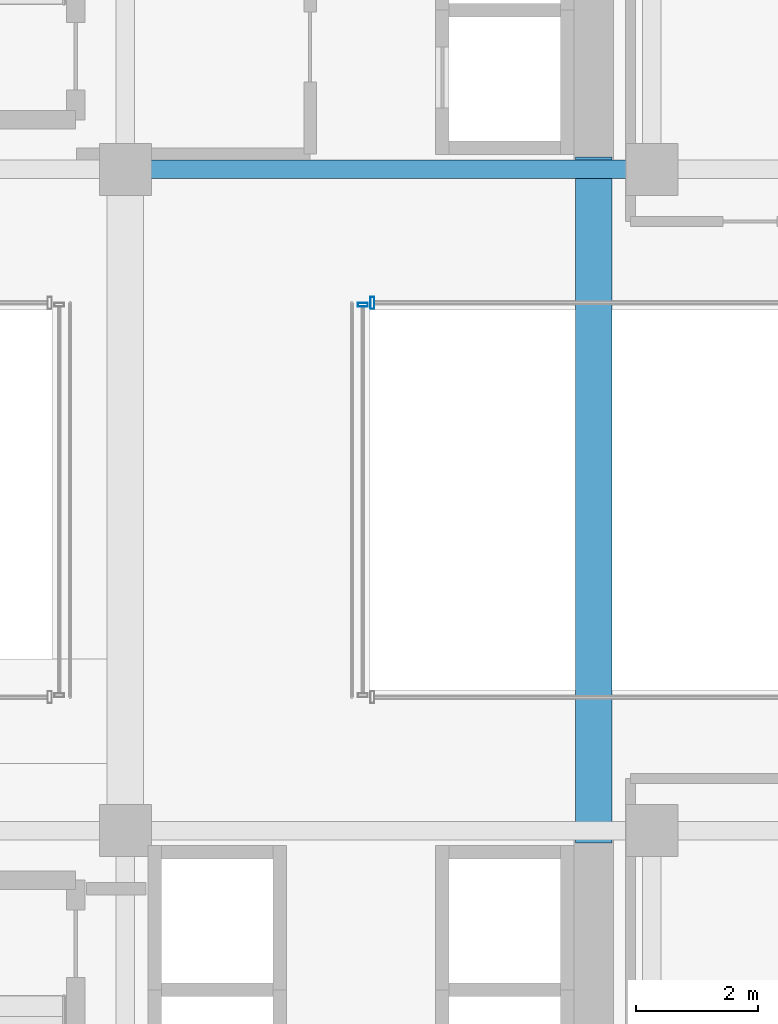
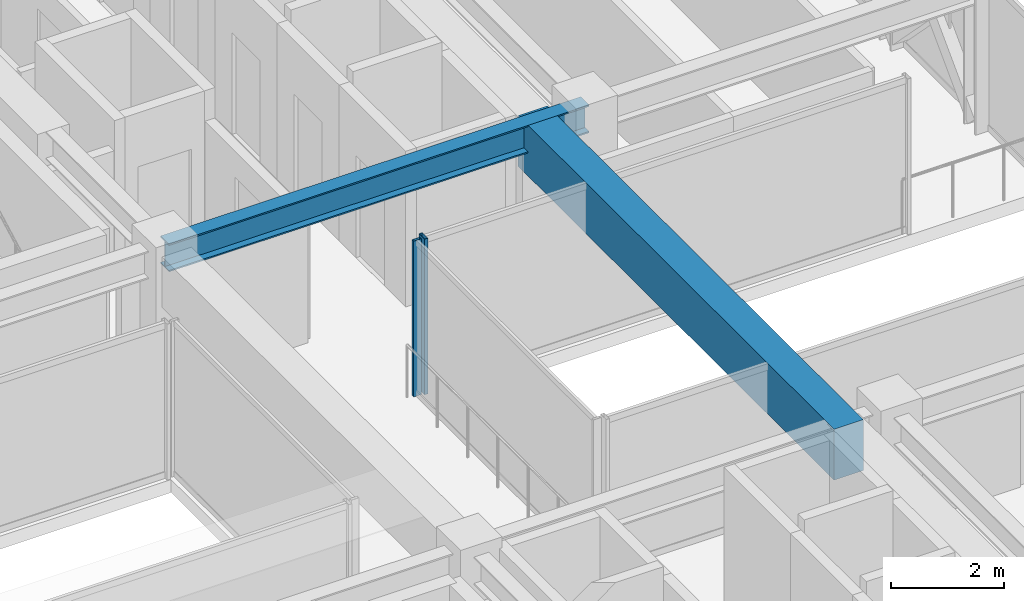
# One storey, part 18 of 43: 2 beams, 2 members, 2 elements without a shape of their own.
"""IFC4 building model written with IfcOpenShell, lengths in metres."""

from ifc_helpers import new_model, si_unit, direction, frame, origin, origin_2d, place, context, subcontext, project, spatial, rectangle, hollow_rectangle, i_section, extrude, source, transform, mapped, material, material_profile, profile_set, type_object, element, aggregate, save


model = new_model("IFC4")

# Units and contexts
model_context = context("Model", 3, precision=1e-05, world=origin(), true_north=direction((0.0, 1.0)))
body_context = subcontext(model_context, "Body", "Model", "MODEL_VIEW")
ifc_project = project(units=[si_unit("LENGTHUNIT", "METRE"), si_unit("AREAUNIT", "SQUARE_METRE"), si_unit("VOLUMEUNIT", "CUBIC_METRE"), si_unit("PLANEANGLEUNIT", "RADIAN"), si_unit("MASSUNIT", "GRAM", prefix="KILO")], contexts=[model_context])

# Site, building, storey
site_placement = place(None, origin())
site = spatial("IfcSite", under=ifc_project, at=site_placement, CompositionType="ELEMENT")
building_placement = place(site_placement, origin())
building = spatial("IfcBuilding", under=site, at=building_placement, Name="Nahalor Promenade Grand Hotel", CompositionType="ELEMENT")
storey_placement = place(building_placement, frame((0.0, 0.0, 47.0)))
storey = spatial("IfcBuildingStorey", under=building, at=storey_placement, Name="L10", CompositionType="ELEMENT", Elevation=47.0)

# Beams
ifc_material_1 = material(Name="Concrete B-60 (C50/60)", Category="concrete")
ifc_material_profile_1 = material_profile(ifc_material_1, rectangle(XDim=0.6, YDim=1.1, at=origin_2d()), Name="RC 600x1100")
ifc_profile_set_1 = profile_set([ifc_material_profile_1], Name="Concrete B-60 (C50/60)")
beam_type_1 = type_object("IfcBeamType", Name="Beam-Lintel-RC1100", PredefinedType="LINTEL", material=ifc_profile_set_1)
shared_shape_1 = source(origin(), body_context, "Body", "SweptSolid", [
    extrude(rectangle(XDim=0.6, YDim=1.1, at=origin_2d()), origin(), (0.0, 0.0, 1.0), 11.2001953125),
])
beam_1_placement = place(storey_placement, frame((16.050048828125, -5.60009765625, 2.820068359375), z_axis=(0.0, 1.0, 0.0), x_axis=(-1.0, 0.0, 0.0)))
element("IfcBeam", 1, at=beam_1_placement, inside=storey, type_object=beam_type_1, Name="BM-L10-LINT-E", PredefinedType="LINTEL", context=body_context, shape_type="MappedRepresentation", body=[
    mapped(shared_shape_1, transform((0.0, 0.0, 0.0), scale=1.0)),
])
ifc_material_2 = material(Name="Steel S355JR", Category="steel")
ifc_material_profile_2 = material_profile(ifc_material_2, i_section(OverallWidth=0.3, OverallDepth=0.6, WebThickness=0.0155, FlangeThickness=0.03, at=origin_2d()), Name="HEB 600")
ifc_profile_set_2 = profile_set([ifc_material_profile_2], Name="Steel S355JR")
beam_type_2 = type_object("IfcBeamType", Name="Beam-Girder-HEB600", PredefinedType="BEAM", material=ifc_profile_set_2)
shared_shape_2 = source(origin(), body_context, "Body", "SweptSolid", [
    extrude(i_section(OverallWidth=0.3, OverallDepth=0.6, WebThickness=0.0155, FlangeThickness=0.03, at=origin_2d()), origin(), (0.0, 0.0, 1.0), 8.60009765625),
])
beam_2_placement = place(storey_placement, frame((8.39990234375, 5.39990234375, 3.070068359375), z_axis=(1.0, 0.0, 0.0), x_axis=(0.0, 1.0, 0.0)))
element("IfcBeam", 2, at=beam_2_placement, inside=storey, type_object=beam_type_2, Name="BM-L10-GX-2-5", PredefinedType="BEAM", context=body_context, shape_type="MappedRepresentation", body=[
    mapped(shared_shape_2, transform((0.0, 0.0, 0.0), scale=1.0)),
])

# Curtain wall, member
ifc_material_3 = material(Name="Anodised Bronze Aluminium EN AW-6063 T6", Category="aluminium")
curtain_wall_type_1 = type_object("IfcCurtainWallType", Name="CW3 Elliptical-Void Collar Unitised Curtain Wall", PredefinedType="USERDEFINED", material=ifc_material_3)
curtain_wall_1_placement = place(storey_placement, origin())
curtain_wall_1 = element("IfcCurtainWall", 3, at=curtain_wall_1_placement, inside=storey, type_object=curtain_wall_type_1, Name="L10 Curtain Wall CW-L10-VOID-EN1", ObjectType="UNITISED_CURTAIN_WALL", PredefinedType="USERDEFINED")
ifc_material_profile_3 = material_profile(ifc_material_3, hollow_rectangle(XDim=0.07, YDim=0.2, WallThickness=0.005, at=origin_2d()), Name="CWM 70x200x5")
ifc_profile_set_3 = profile_set([ifc_material_profile_3], Name="Anodised Bronze Aluminium EN AW-6063 T6")
member_type_1 = type_object("IfcMemberType", Name="CWM3 Void Collar Mullion 70x200", PredefinedType="MULLION", material=ifc_profile_set_3)
shared_shape_3 = source(origin(), body_context, "Body", "SweptSolid", [
    extrude(hollow_rectangle(XDim=0.07, YDim=0.2, WallThickness=0.005, at=origin_2d()), origin(), (0.0, 0.0, 1.0), 3.3701171875),
])
member_1_placement = place(storey_placement, frame((12.43505859375, 3.219970703125, 0.0), z_axis=(0.0, 0.0, 1.0), x_axis=(1.0, 0.0, 0.0)))
member_1 = element("IfcMember", 4, at=member_1_placement, type_object=member_type_1, Name="CW-L10-VOID-EN1 Mullion 0", PredefinedType="MULLION", context=body_context, shape_type="MappedRepresentation", body=[
    mapped(shared_shape_3, transform((0.0, 0.0, 0.0), scale=1.0)),
])
aggregate(curtain_wall_1, [member_1])

curtain_wall_type_2 = type_object("IfcCurtainWallType", Name="CW4 Low-Iron Sky-Gallery Bridge Curtain Wall", PredefinedType="USERDEFINED", material=ifc_material_3)
curtain_wall_2_placement = place(storey_placement, origin())
curtain_wall_2 = element("IfcCurtainWall", 5, at=curtain_wall_2_placement, inside=storey, type_object=curtain_wall_type_2, Name="L10 Curtain Wall CW-L10-BRG-E", ObjectType="UNITISED_CURTAIN_WALL", PredefinedType="USERDEFINED")
ifc_material_profile_4 = material_profile(ifc_material_3, hollow_rectangle(XDim=0.06, YDim=0.16, WallThickness=0.004, at=origin_2d()), Name="CWM 60x160x4")
ifc_profile_set_4 = profile_set([ifc_material_profile_4], Name="Anodised Bronze Aluminium EN AW-6063 T6")
member_type_2 = type_object("IfcMemberType", Name="CWM4 Sky-Gallery Slim Mullion 60x160", PredefinedType="MULLION", material=ifc_profile_set_4)
shared_shape_4 = source(origin(), body_context, "Body", "SweptSolid", [
    extrude(hollow_rectangle(XDim=0.06, YDim=0.16, WallThickness=0.004, at=origin_2d()), origin(), (0.0, 0.0, 1.0), 3.3701171875),
])
member_2_placement = place(storey_placement, frame((12.280029296875, 3.18994140625, 0.0), z_axis=(0.0, 0.0, 1.0), x_axis=(0.0, 1.0, 0.0)))
member_2 = element("IfcMember", 6, at=member_2_placement, type_object=member_type_2, Name="CW-L10-BRG-E Mullion 1", PredefinedType="MULLION", context=body_context, shape_type="MappedRepresentation", body=[
    mapped(shared_shape_4, transform((0.0, 0.0, 0.0), scale=1.0)),
])
aggregate(curtain_wall_2, [member_2])

save(model, "model.ifc")
